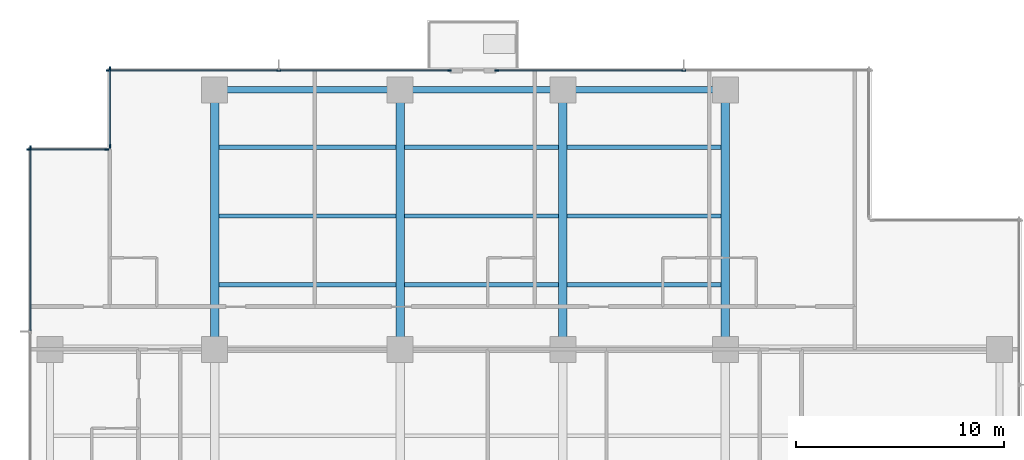
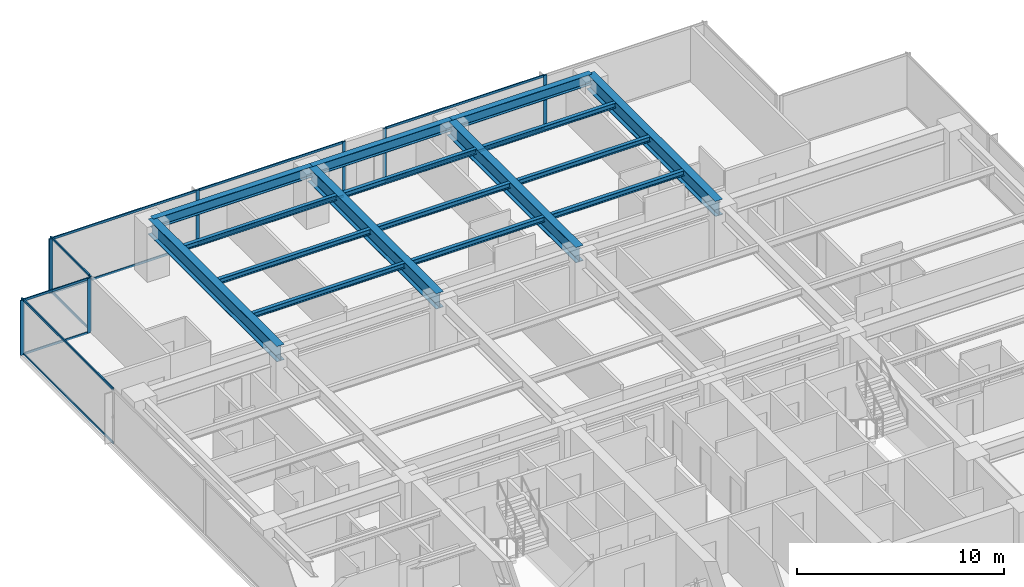
# One storey, part 5 of 17: 22 members, 16 beams, 5 elements without a shape of their own.
"""IFC4 building model written with IfcOpenShell, lengths in metres."""

from ifc_helpers import new_model, si_unit, direction, frame, origin, origin_2d, place, context, subcontext, project, spatial, rectangle, i_section, extrude, material, layer, layer_set, material_profile, profile_set, type_object, element, aggregate, save


model = new_model("IFC4")

# Units and contexts
model_context = context("Model", 3, precision=1e-05, world=origin(), true_north=direction((0.0, 1.0)))
body_context = subcontext(model_context, "Body", "Model", "MODEL_VIEW")
ifc_project = project(units=[si_unit("LENGTHUNIT", "METRE"), si_unit("AREAUNIT", "SQUARE_METRE"), si_unit("VOLUMEUNIT", "CUBIC_METRE"), si_unit("PLANEANGLEUNIT", "RADIAN"), si_unit("MASSUNIT", "GRAM", prefix="KILO")], contexts=[model_context])

# Site, building, storey
site_placement = place(None, origin())
site = spatial("IfcSite", under=ifc_project, at=site_placement, CompositionType="ELEMENT")
building_placement = place(site_placement, origin())
building = spatial("IfcBuilding", under=site, at=building_placement, Name="Qalmaran Belvedere Hotel", CompositionType="ELEMENT")
storey_placement = place(building_placement, frame((0.0, 0.0, 98.699951171875)))
storey = spatial("IfcBuildingStorey", under=building, at=storey_placement, Name="L24", CompositionType="ELEMENT", Elevation=98.699951171875)

# Beams
ifc_material_1 = material(Name="Steel S355JR", Category="steel")
ifc_material_profile_1 = material_profile(ifc_material_1, i_section(OverallWidth=0.202880859375, OverallDepth=0.302978515625, WebThickness=0.007568359375, FlangeThickness=0.01318359375, FilletRadius=0.012939453125, at=origin_2d()), Name="W310X60")
ifc_profile_set_1 = profile_set([ifc_material_profile_1], Name="Steel S355JR")
beam_type_1 = type_object("IfcBeamType", Name="BM-JST-W310X60", PredefinedType="JOIST", material=ifc_profile_set_1)
beam_1_placement = place(storey_placement, frame((20.507080078125, 36.10009765625, 3.088623046875), z_axis=(1.0, 0.0, 0.0), x_axis=(0.0, 1.0, 0.0)))
element("IfcBeam", 1, at=beam_1_placement, inside=storey, type_object=beam_type_1, Name="L24 North Floor Joist 042", PredefinedType="JOIST", context=body_context, shape_type="SweptSolid", body=[
    extrude(i_section(OverallWidth=0.202880859375, OverallDepth=0.302978515625, WebThickness=0.007568359375, FlangeThickness=0.01318359375, FilletRadius=0.012939453125, at=origin_2d()), origin(), (0.0, 0.0, 1.0), 8.48583984375),
])
for number, where, z_axis, x_axis, name in (
    (2, (29.406982421875, 36.10009765625, 3.088623046875), (1.0, 0.0, 0.0), (0.0, 1.0, 0.0), "L24 North Floor Joist 043"),
    (3, (37.20703125, 36.10009765625, 3.088623046875), (1.0, 0.0, 0.0), (0.0, 1.0, 0.0), "L24 North Floor Joist 044"),
):
    element("IfcBeam", number, at=place(storey_placement, frame(where, z_axis=z_axis, x_axis=x_axis)), inside=storey, type_object=beam_type_1, Name=name, PredefinedType="JOIST", context=body_context, shape_type="SweptSolid", body=[
        extrude(i_section(OverallWidth=0.202880859375, OverallDepth=0.302978515625, WebThickness=0.007568359375, FlangeThickness=0.01318359375, FilletRadius=0.012939453125, at=origin_2d()), origin(), (0.0, 0.0, 1.0), 7.385986328125),
    ])
beam_2_placement = place(storey_placement, frame((20.507080078125, 39.39990234375, 3.088623046875), z_axis=(1.0, 0.0, 0.0), x_axis=(0.0, 1.0, 0.0)))
element("IfcBeam", 4, at=beam_2_placement, inside=storey, type_object=beam_type_1, Name="L24 North Floor Joist 045", PredefinedType="JOIST", context=body_context, shape_type="SweptSolid", body=[
    extrude(i_section(OverallWidth=0.202880859375, OverallDepth=0.302978515625, WebThickness=0.007568359375, FlangeThickness=0.01318359375, FilletRadius=0.012939453125, at=origin_2d()), origin(), (0.0, 0.0, 1.0), 8.48583984375),
])
for number, where, z_axis, x_axis, name in (
    (5, (29.406982421875, 39.39990234375, 3.088623046875), (1.0, 0.0, 0.0), (0.0, 1.0, 0.0), "L24 North Floor Joist 046"),
    (6, (37.20703125, 39.39990234375, 3.088623046875), (1.0, 0.0, 0.0), (0.0, 1.0, 0.0), "L24 North Floor Joist 047"),
):
    element("IfcBeam", number, at=place(storey_placement, frame(where, z_axis=z_axis, x_axis=x_axis)), inside=storey, type_object=beam_type_1, Name=name, PredefinedType="JOIST", context=body_context, shape_type="SweptSolid", body=[
        extrude(i_section(OverallWidth=0.202880859375, OverallDepth=0.302978515625, WebThickness=0.007568359375, FlangeThickness=0.01318359375, FilletRadius=0.012939453125, at=origin_2d()), origin(), (0.0, 0.0, 1.0), 7.385986328125),
    ])
beam_3_placement = place(storey_placement, frame((20.507080078125, 42.699951171875, 3.088623046875), z_axis=(1.0, 0.0, 0.0), x_axis=(0.0, 1.0, 0.0)))
element("IfcBeam", 7, at=beam_3_placement, inside=storey, type_object=beam_type_1, Name="L24 North Floor Joist 048", PredefinedType="JOIST", context=body_context, shape_type="SweptSolid", body=[
    extrude(i_section(OverallWidth=0.202880859375, OverallDepth=0.302978515625, WebThickness=0.007568359375, FlangeThickness=0.01318359375, FilletRadius=0.012939453125, at=origin_2d()), origin(), (0.0, 0.0, 1.0), 8.48583984375),
])
for number, where, z_axis, x_axis, name in (
    (8, (29.406982421875, 42.699951171875, 3.088623046875), (1.0, 0.0, 0.0), (0.0, 1.0, 0.0), "L24 North Floor Joist 049"),
    (9, (37.20703125, 42.699951171875, 3.088623046875), (1.0, 0.0, 0.0), (0.0, 1.0, 0.0), "L24 North Floor Joist 050"),
):
    element("IfcBeam", number, at=place(storey_placement, frame(where, z_axis=z_axis, x_axis=x_axis)), inside=storey, type_object=beam_type_1, Name=name, PredefinedType="JOIST", context=body_context, shape_type="SweptSolid", body=[
        extrude(i_section(OverallWidth=0.202880859375, OverallDepth=0.302978515625, WebThickness=0.007568359375, FlangeThickness=0.01318359375, FilletRadius=0.012939453125, at=origin_2d()), origin(), (0.0, 0.0, 1.0), 7.385986328125),
    ])
ifc_material_profile_2 = material_profile(ifc_material_1, i_section(OverallWidth=0.41796875, OverallDepth=0.912109375, WebThickness=0.019287109375, FlangeThickness=0.031982421875, FilletRadius=0.02392578125, at=origin_2d()), Name="W920X342")
ifc_profile_set_2 = profile_set([ifc_material_profile_2], Name="Steel S355JR")
beam_type_2 = type_object("IfcBeamType", Name="BM-PG2-W920X342", PredefinedType="USERDEFINED", material=ifc_profile_set_2)
for number, where, z_axis, x_axis, name in (
    (10, (20.300048828125, 33.0, 2.783935546875), (0.0, 1.0, 0.0), (-1.0, 0.0, 0.0), "L24 North Bay Girder 15"),
    (11, (29.199951171875, 33.0, 2.783935546875), (0.0, 1.0, 0.0), (-1.0, 0.0, 0.0), "L24 North Bay Girder 17"),
    (12, (37.0, 33.0, 2.783935546875), (0.0, 1.0, 0.0), (-1.0, 0.0, 0.0), "L24 North Bay Girder 19"),
    (13, (44.800048828125, 33.0, 2.783935546875), (0.0, 1.0, 0.0), (-1.0, 0.0, 0.0), "L24 North Bay Girder 21"),
):
    element("IfcBeam", number, at=place(storey_placement, frame(where, z_axis=z_axis, x_axis=x_axis)), inside=storey, type_object=beam_type_2, Name=name, ObjectType="GIRDER", PredefinedType="USERDEFINED", context=body_context, shape_type="SweptSolid", body=[
        extrude(i_section(OverallWidth=0.41796875, OverallDepth=0.912109375, WebThickness=0.019287109375, FlangeThickness=0.031982421875, FilletRadius=0.02392578125, at=origin_2d()), origin(), (0.0, 0.0, 1.0), 12.449951171875),
    ])
ifc_material_profile_3 = material_profile(ifc_material_1, i_section(OverallWidth=0.326904296875, OverallDepth=0.6220703125, WebThickness=0.015380859375, FlangeThickness=0.0244140625, FilletRadius=0.02001953125, at=origin_2d()), Name="W610X195")
ifc_profile_set_3 = profile_set([ifc_material_profile_3], Name="Steel S355JR")
beam_type_3 = type_object("IfcBeamType", Name="BM-SP1-W610X195", PredefinedType="SPANDREL", material=ifc_profile_set_3)
beam_4_placement = place(storey_placement, frame((20.300048828125, 45.449951171875, 2.928955078125), z_axis=(1.0, 0.0, 0.0), x_axis=(0.0, 1.0, 0.0)))
element("IfcBeam", 14, at=beam_4_placement, inside=storey, type_object=beam_type_3, Name="L24 Perimeter Spandrel 05", PredefinedType="SPANDREL", context=body_context, shape_type="SweptSolid", body=[
    extrude(i_section(OverallWidth=0.326904296875, OverallDepth=0.6220703125, WebThickness=0.015380859375, FlangeThickness=0.0244140625, FilletRadius=0.02001953125, at=origin_2d()), origin(), (0.0, 0.0, 1.0), 8.89990234375),
])
for number, where, z_axis, x_axis, name in (
    (15, (29.199951171875, 45.449951171875, 2.928955078125), (1.0, 0.0, 0.0), (0.0, 1.0, 0.0), "L24 Perimeter Spandrel 06"),
    (16, (37.0, 45.449951171875, 2.928955078125), (1.0, 0.0, 0.0), (0.0, 1.0, 0.0), "L24 Perimeter Spandrel 07"),
):
    element("IfcBeam", number, at=place(storey_placement, frame(where, z_axis=z_axis, x_axis=x_axis)), inside=storey, type_object=beam_type_3, Name=name, PredefinedType="SPANDREL", context=body_context, shape_type="SweptSolid", body=[
        extrude(i_section(OverallWidth=0.326904296875, OverallDepth=0.6220703125, WebThickness=0.015380859375, FlangeThickness=0.0244140625, FilletRadius=0.02001953125, at=origin_2d()), origin(), (0.0, 0.0, 1.0), 7.800048828125),
    ])

# Curtain wall, members
ifc_material_2 = material(Name="Anodised Bronze Aluminium", Category="aluminium")
ifc_layer = layer(ifc_material_2, 0.199951171875, Name="Anodised Bronze Aluminium")
ifc_layer_set = layer_set([ifc_layer], Name="Anodised Bronze Aluminium")
curtain_wall_type = type_object("IfcCurtainWallType", Name="CW3-TOWER-LOWMID", PredefinedType="NOTDEFINED", material=ifc_layer_set)
curtain_wall_1_placement = place(storey_placement, origin())
curtain_wall_1 = element("IfcCurtainWall", 17, at=curtain_wall_1_placement, inside=storey, type_object=curtain_wall_type, Name="L24 Curtain Wall CW3", PredefinedType="NOTDEFINED")
ifc_material_profile_4 = material_profile(ifc_material_2, rectangle(XDim=0.070068359375, YDim=0.18994140625, at=origin_2d()), Name="CWM70X190")
ifc_profile_set_4 = profile_set([ifc_material_profile_4], Name="Anodised Bronze Aluminium")
member_type_1 = type_object("IfcMemberType", Name="CWM-70X190", PredefinedType="MULLION", material=ifc_profile_set_4)
member_1_placement = place(storey_placement, frame((31.56494140625, 46.3798828125, 0.0), z_axis=(0.0, 0.0, 1.0), x_axis=(0.0, -1.0, 0.0)))
member_1 = element("IfcMember", 18, at=member_1_placement, type_object=member_type_1, Name="CW3 mullion 1", PredefinedType="MULLION", context=body_context, shape_type="SweptSolid", body=[
    extrude(rectangle(XDim=0.070068359375, YDim=0.18994140625, at=origin_2d()), origin(), (0.0, 0.0, 1.0), 3.239990234375),
])
member_2_placement = place(storey_placement, frame((23.375, 46.3798828125, 0.0), z_axis=(0.0, 0.0, 1.0), x_axis=(0.0, -1.0, 0.0)))
member_2 = element("IfcMember", 19, at=member_2_placement, type_object=member_type_1, Name="CW3 mullion 2", PredefinedType="MULLION", context=body_context, shape_type="SweptSolid", body=[
    extrude(rectangle(XDim=0.070068359375, YDim=0.18994140625, at=origin_2d()), origin(), (0.0, 0.0, 1.0), 3.239990234375),
])
member_3_placement = place(storey_placement, frame((15.18505859375, 46.3798828125, 0.0), z_axis=(0.0, 0.0, 1.0), x_axis=(0.0, -1.0, 0.0)))
member_3 = element("IfcMember", 20, at=member_3_placement, type_object=member_type_1, Name="CW3 mullion 3", PredefinedType="MULLION", context=body_context, shape_type="SweptSolid", body=[
    extrude(rectangle(XDim=0.070068359375, YDim=0.18994140625, at=origin_2d()), origin(), (0.0, 0.0, 1.0), 3.239990234375),
])

curtain_wall_2_placement = place(storey_placement, origin())
curtain_wall_2 = element("IfcCurtainWall", 21, at=curtain_wall_2_placement, inside=storey, type_object=curtain_wall_type, Name="L24 Curtain Wall CW3", PredefinedType="NOTDEFINED")
member_4_placement = place(storey_placement, frame((42.800048828125, 46.3798828125, 0.0), z_axis=(0.0, 0.0, 1.0), x_axis=(0.0, -1.0, 0.0)))
member_4 = element("IfcMember", 22, at=member_4_placement, type_object=member_type_1, Name="CW3 mullion 2", PredefinedType="MULLION", context=body_context, shape_type="SweptSolid", body=[
    extrude(rectangle(XDim=0.070068359375, YDim=0.18994140625, at=origin_2d()), origin(), (0.0, 0.0, 1.0), 3.239990234375),
])
member_5_placement = place(storey_placement, frame((33.8349609375, 46.3798828125, 0.0), z_axis=(0.0, 0.0, 1.0), x_axis=(0.0, -1.0, 0.0)))
member_5 = element("IfcMember", 23, at=member_5_placement, type_object=member_type_1, Name="CW3 mullion 3", PredefinedType="MULLION", context=body_context, shape_type="SweptSolid", body=[
    extrude(rectangle(XDim=0.070068359375, YDim=0.18994140625, at=origin_2d()), origin(), (0.0, 0.0, 1.0), 3.239990234375),
])

curtain_wall_3_placement = place(storey_placement, origin())
curtain_wall_3 = element("IfcCurtainWall", 24, at=curtain_wall_3_placement, inside=storey, type_object=curtain_wall_type, Name="L24 Curtain Wall CW3", PredefinedType="NOTDEFINED")
member_6_placement = place(storey_placement, frame((15.27001953125, 46.465087890625, 0.0), z_axis=(0.0, 0.0, 1.0), x_axis=(1.0, 0.0, 0.0)))
member_6 = element("IfcMember", 25, at=member_6_placement, type_object=member_type_1, Name="CW3 mullion 1", PredefinedType="MULLION", context=body_context, shape_type="SweptSolid", body=[
    extrude(rectangle(XDim=0.070068359375, YDim=0.18994140625, at=origin_2d()), origin(), (0.0, 0.0, 1.0), 3.239990234375),
])
member_7_placement = place(storey_placement, frame((15.27001953125, 42.735107421875, 0.0), z_axis=(0.0, 0.0, 1.0), x_axis=(1.0, 0.0, 0.0)))
member_7 = element("IfcMember", 26, at=member_7_placement, type_object=member_type_1, Name="CW3 mullion 2", PredefinedType="MULLION", context=body_context, shape_type="SweptSolid", body=[
    extrude(rectangle(XDim=0.070068359375, YDim=0.18994140625, at=origin_2d()), origin(), (0.0, 0.0, 1.0), 3.239990234375),
])

curtain_wall_4_placement = place(storey_placement, origin())
curtain_wall_4 = element("IfcCurtainWall", 27, at=curtain_wall_4_placement, inside=storey, type_object=curtain_wall_type, Name="L24 Curtain Wall CW3", PredefinedType="NOTDEFINED")
member_8_placement = place(storey_placement, frame((15.114990234375, 42.580078125, 0.0), z_axis=(0.0, 0.0, 1.0), x_axis=(0.0, -1.0, 0.0)))
member_8 = element("IfcMember", 28, at=member_8_placement, type_object=member_type_1, Name="CW3 mullion 1", PredefinedType="MULLION", context=body_context, shape_type="SweptSolid", body=[
    extrude(rectangle(XDim=0.070068359375, YDim=0.18994140625, at=origin_2d()), origin(), (0.0, 0.0, 1.0), 3.239990234375),
])
member_9_placement = place(storey_placement, frame((11.385009765625, 42.580078125, 0.0), z_axis=(0.0, 0.0, 1.0), x_axis=(0.0, -1.0, 0.0)))
member_9 = element("IfcMember", 29, at=member_9_placement, type_object=member_type_1, Name="CW3 mullion 2", PredefinedType="MULLION", context=body_context, shape_type="SweptSolid", body=[
    extrude(rectangle(XDim=0.070068359375, YDim=0.18994140625, at=origin_2d()), origin(), (0.0, 0.0, 1.0), 3.239990234375),
])

# Curtain wall, member
curtain_wall_5_placement = place(storey_placement, origin())
curtain_wall_5 = element("IfcCurtainWall", 30, at=curtain_wall_5_placement, inside=storey, type_object=curtain_wall_type, Name="L24 Curtain Wall CW3", PredefinedType="NOTDEFINED")
member_10_placement = place(storey_placement, frame((11.469970703125, 42.6650390625, 0.0), z_axis=(0.0, 0.0, 1.0), x_axis=(1.0, 0.0, 0.0)))
member_10 = element("IfcMember", 31, at=member_10_placement, type_object=member_type_1, Name="CW3 mullion 1", PredefinedType="MULLION", context=body_context, shape_type="SweptSolid", body=[
    extrude(rectangle(XDim=0.070068359375, YDim=0.18994140625, at=origin_2d()), origin(), (0.0, 0.0, 1.0), 3.239990234375),
])

# Member
ifc_material_profile_5 = material_profile(ifc_material_2, rectangle(XDim=0.06494140625, YDim=0.1298828125, at=origin_2d()), Name="CWT65X130")
ifc_profile_set_5 = profile_set([ifc_material_profile_5], Name="Anodised Bronze Aluminium")
member_type_2 = type_object("IfcMemberType", Name="CWT-65X130", PredefinedType="USERDEFINED", material=ifc_profile_set_5)
member_11_placement = place(storey_placement, frame((31.530029296875, 46.3798828125, 0.032470703125), z_axis=(-1.0, 0.0, 0.0), x_axis=(0.0, -1.0, 0.0)))
member_11 = element("IfcMember", 32, at=member_11_placement, type_object=member_type_2, Name="CW3 transom 1.1", ObjectType="TRANSOM", PredefinedType="USERDEFINED", context=body_context, shape_type="SweptSolid", body=[
    extrude(rectangle(XDim=0.06494140625, YDim=0.1298828125, at=origin_2d()), origin(), (0.0, 0.0, 1.0), 8.1201171875),
])

member_12_placement = place(storey_placement, frame((31.530029296875, 46.3798828125, 3.20751953125), z_axis=(-1.0, 0.0, 0.0), x_axis=(0.0, -1.0, 0.0)))
member_12 = element("IfcMember", 33, at=member_12_placement, type_object=member_type_2, Name="CW3 transom 1.2", ObjectType="TRANSOM", PredefinedType="USERDEFINED", context=body_context, shape_type="SweptSolid", body=[
    extrude(rectangle(XDim=0.06494140625, YDim=0.1298828125, at=origin_2d()), origin(), (0.0, 0.0, 1.0), 8.1201171875),
])

member_13_placement = place(storey_placement, frame((23.340087890625, 46.3798828125, 0.032470703125), z_axis=(-1.0, 0.0, 0.0), x_axis=(0.0, -1.0, 0.0)))
member_13 = element("IfcMember", 34, at=member_13_placement, type_object=member_type_2, Name="CW3 transom 2.1", ObjectType="TRANSOM", PredefinedType="USERDEFINED", context=body_context, shape_type="SweptSolid", body=[
    extrude(rectangle(XDim=0.06494140625, YDim=0.1298828125, at=origin_2d()), origin(), (0.0, 0.0, 1.0), 8.1201171875),
])

member_14_placement = place(storey_placement, frame((23.340087890625, 46.3798828125, 3.20751953125), z_axis=(-1.0, 0.0, 0.0), x_axis=(0.0, -1.0, 0.0)))
member_14 = element("IfcMember", 35, at=member_14_placement, type_object=member_type_2, Name="CW3 transom 2.2", ObjectType="TRANSOM", PredefinedType="USERDEFINED", context=body_context, shape_type="SweptSolid", body=[
    extrude(rectangle(XDim=0.06494140625, YDim=0.1298828125, at=origin_2d()), origin(), (0.0, 0.0, 1.0), 8.1201171875),
])

aggregate(curtain_wall_1, [member_1, member_2, member_3, member_11, member_12, member_13, member_14])

member_15_placement = place(storey_placement, frame((42.764892578125, 46.3798828125, 0.032470703125), z_axis=(-1.0, 0.0, 0.0), x_axis=(0.0, -1.0, 0.0)))
member_15 = element("IfcMember", 36, at=member_15_placement, type_object=member_type_2, Name="CW3 transom 2.1", ObjectType="TRANSOM", PredefinedType="USERDEFINED", context=body_context, shape_type="SweptSolid", body=[
    extrude(rectangle(XDim=0.06494140625, YDim=0.1298828125, at=origin_2d()), origin(), (0.0, 0.0, 1.0), 8.894775390625),
])

member_16_placement = place(storey_placement, frame((42.764892578125, 46.3798828125, 3.20751953125), z_axis=(-1.0, 0.0, 0.0), x_axis=(0.0, -1.0, 0.0)))
member_16 = element("IfcMember", 37, at=member_16_placement, type_object=member_type_2, Name="CW3 transom 2.2", ObjectType="TRANSOM", PredefinedType="USERDEFINED", context=body_context, shape_type="SweptSolid", body=[
    extrude(rectangle(XDim=0.06494140625, YDim=0.1298828125, at=origin_2d()), origin(), (0.0, 0.0, 1.0), 8.894775390625),
])

aggregate(curtain_wall_2, [member_4, member_5, member_15, member_16])

member_17_placement = place(storey_placement, frame((15.27001953125, 46.429931640625, 0.032470703125), z_axis=(0.0, -1.0, 0.0), x_axis=(1.0, 0.0, 0.0)))
member_17 = element("IfcMember", 38, at=member_17_placement, type_object=member_type_2, Name="CW3 transom 1.1", ObjectType="TRANSOM", PredefinedType="USERDEFINED", context=body_context, shape_type="SweptSolid", body=[
    extrude(rectangle(XDim=0.06494140625, YDim=0.1298828125, at=origin_2d()), origin(), (0.0, 0.0, 1.0), 3.659912109375),
])

member_18_placement = place(storey_placement, frame((15.27001953125, 46.429931640625, 3.20751953125), z_axis=(0.0, -1.0, 0.0), x_axis=(1.0, 0.0, 0.0)))
member_18 = element("IfcMember", 39, at=member_18_placement, type_object=member_type_2, Name="CW3 transom 1.2", ObjectType="TRANSOM", PredefinedType="USERDEFINED", context=body_context, shape_type="SweptSolid", body=[
    extrude(rectangle(XDim=0.06494140625, YDim=0.1298828125, at=origin_2d()), origin(), (0.0, 0.0, 1.0), 3.659912109375),
])

aggregate(curtain_wall_3, [member_6, member_7, member_17, member_18])

member_19_placement = place(storey_placement, frame((15.080078125, 42.580078125, 0.032470703125), z_axis=(-1.0, 0.0, 0.0), x_axis=(0.0, -1.0, 0.0)))
member_19 = element("IfcMember", 40, at=member_19_placement, type_object=member_type_2, Name="CW3 transom 1.1", ObjectType="TRANSOM", PredefinedType="USERDEFINED", context=body_context, shape_type="SweptSolid", body=[
    extrude(rectangle(XDim=0.06494140625, YDim=0.1298828125, at=origin_2d()), origin(), (0.0, 0.0, 1.0), 3.66015625),
])

member_20_placement = place(storey_placement, frame((15.080078125, 42.580078125, 3.20751953125), z_axis=(-1.0, 0.0, 0.0), x_axis=(0.0, -1.0, 0.0)))
member_20 = element("IfcMember", 41, at=member_20_placement, type_object=member_type_2, Name="CW3 transom 1.2", ObjectType="TRANSOM", PredefinedType="USERDEFINED", context=body_context, shape_type="SweptSolid", body=[
    extrude(rectangle(XDim=0.06494140625, YDim=0.1298828125, at=origin_2d()), origin(), (0.0, 0.0, 1.0), 3.66015625),
])

aggregate(curtain_wall_4, [member_8, member_9, member_19, member_20])

member_21_placement = place(storey_placement, frame((11.469970703125, 42.6298828125, 0.032470703125), z_axis=(0.0, -1.0, 0.0), x_axis=(1.0, 0.0, 0.0)))
member_21 = element("IfcMember", 42, at=member_21_placement, type_object=member_type_2, Name="CW3 transom 1.1", ObjectType="TRANSOM", PredefinedType="USERDEFINED", context=body_context, shape_type="SweptSolid", body=[
    extrude(rectangle(XDim=0.06494140625, YDim=0.1298828125, at=origin_2d()), origin(), (0.0, 0.0, 1.0), 8.744873046875),
])

member_22_placement = place(storey_placement, frame((11.469970703125, 42.6298828125, 3.20751953125), z_axis=(0.0, -1.0, 0.0), x_axis=(1.0, 0.0, 0.0)))
member_22 = element("IfcMember", 43, at=member_22_placement, type_object=member_type_2, Name="CW3 transom 1.2", ObjectType="TRANSOM", PredefinedType="USERDEFINED", context=body_context, shape_type="SweptSolid", body=[
    extrude(rectangle(XDim=0.06494140625, YDim=0.1298828125, at=origin_2d()), origin(), (0.0, 0.0, 1.0), 8.744873046875),
])

aggregate(curtain_wall_5, [member_10, member_21, member_22])

save(model, "model.ifc")
